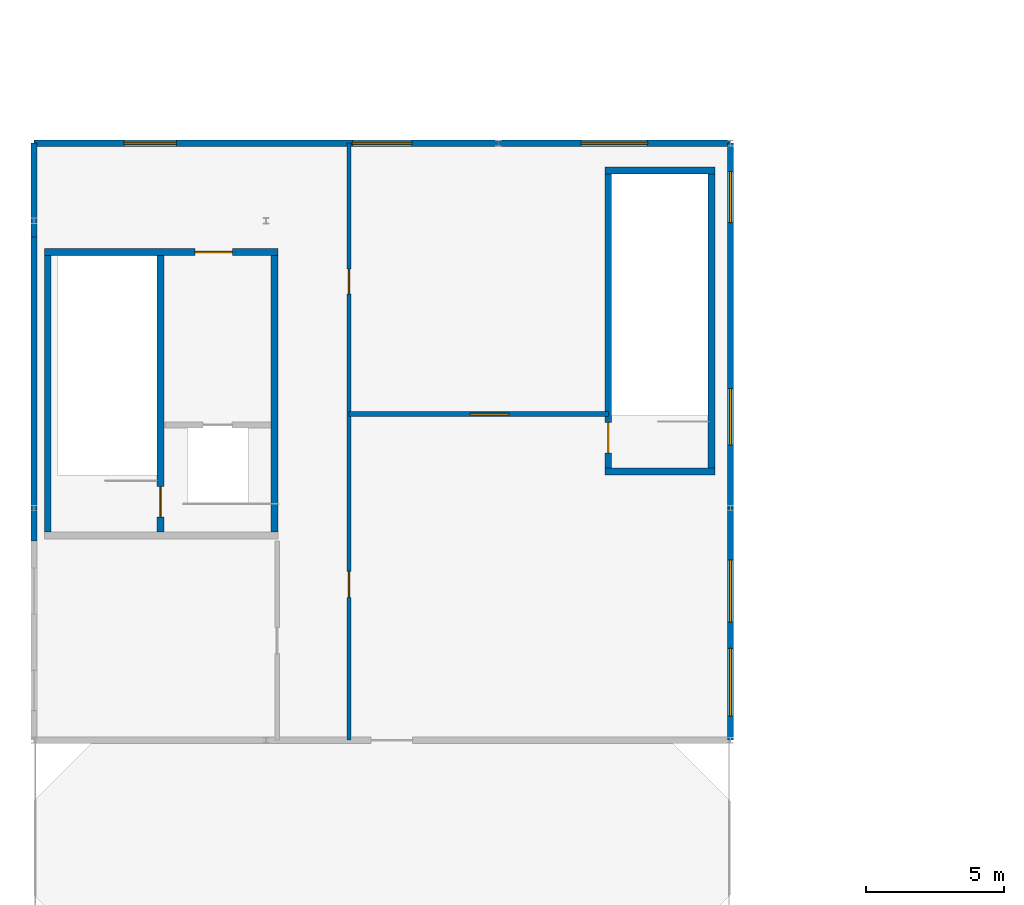
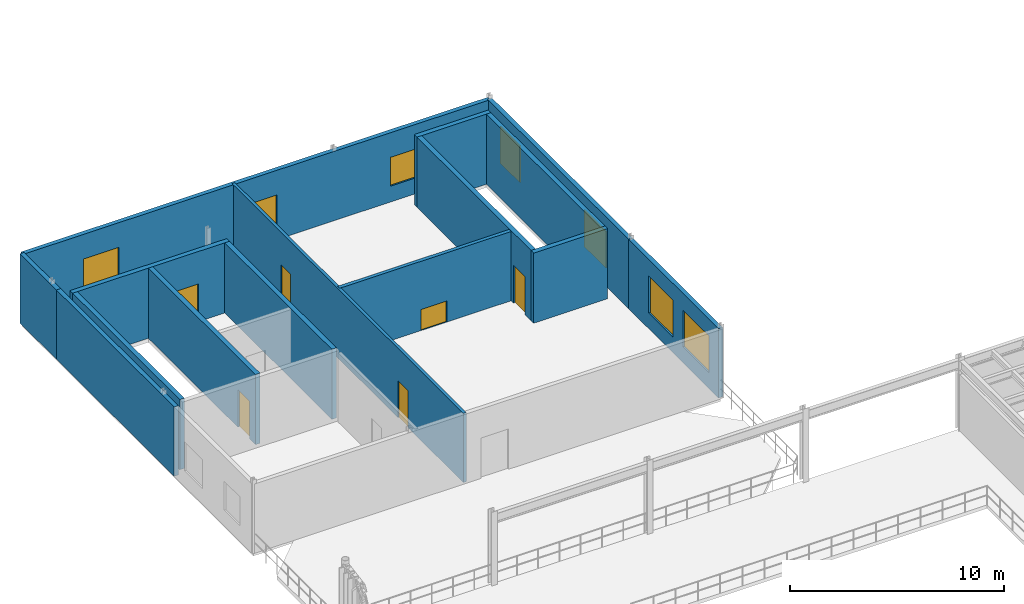
# One storey, part 23 of 32: 15 walls, 7 windows, 6 doors, 13 openings.
"""IFC4 building model written with IfcOpenShell, lengths in metres."""

from ifc_helpers import new_model, si_unit, direction, frame, frame_2d, origin, place, context, subcontext, project, spatial, rectangle, extrude, material, layer, layer_set, type_object, element, fill, save


model = new_model("IFC4")

# Units and contexts
model_context = context("Model", 3, precision=1e-05, world=origin(), true_north=direction((0.0, 1.0)))
body_context = subcontext(model_context, "Body", "Model", "MODEL_VIEW")
ifc_project = project(units=[si_unit("LENGTHUNIT", "METRE"), si_unit("AREAUNIT", "SQUARE_METRE"), si_unit("VOLUMEUNIT", "CUBIC_METRE"), si_unit("PLANEANGLEUNIT", "RADIAN"), si_unit("MASSUNIT", "GRAM", prefix="KILO")], contexts=[model_context])

# Site, building, storey
site_placement = place(None, origin())
site = spatial("IfcSite", under=ifc_project, at=site_placement, CompositionType="ELEMENT")
building_placement = place(site_placement, origin())
building = spatial("IfcBuilding", under=site, at=building_placement, Name="Selat Folded Stagehouse", CompositionType="ELEMENT")
storey_placement = place(building_placement, frame((0.0, 0.0, 19.199951171875)))
storey = spatial("IfcBuildingStorey", under=building, at=storey_placement, Name="L04", CompositionType="ELEMENT", Elevation=19.199951171875)

# Wall, opening, door
ifc_material_1 = material(Name="Acoustic twin-frame drywall partition", Category="gypsum")
ifc_layer_1 = layer(ifc_material_1, 0.18994140625)
ifc_layer_set_1 = layer_set([ifc_layer_1], Name="Acoustic twin-frame drywall partition")
wall_type_1 = type_object("IfcWallType", Name="WAL-ACOU-190", PredefinedType="PARTITIONING", material=ifc_layer_set_1)
wall_1_placement = place(storey_placement, frame((11.39990234375, 74.199951171875, 0.0), z_axis=(0.0, 0.0, 1.0), x_axis=(1.0, 0.0, 0.0)))
wall_1 = element("IfcWall", 1, at=wall_1_placement, inside=storey, type_object=wall_type_1, Name="L04 interior partition wall 120", PredefinedType="PARTITIONING", context=body_context, shape_type="SweptSolid", body=[
    extrude(rectangle(XDim=9.380126953125, YDim=0.18994140625, at=frame_2d((4.68994140625, 0.0))), origin(), (0.0, 0.0, 1.0), 3.9521484375),
])
opening_1_placement = place(wall_1_placement, frame((4.388916015625, 0.0, 0.0)))
opening_1 = element("IfcOpeningElement", 2, at=opening_1_placement, cuts=wall_1, Name="Opening TD-02", PredefinedType="OPENING", context=body_context, shape_type="SweptSolid", body=[
    extrude(rectangle(XDim=1.39990234375, YDim=1.199951171875, at=frame_2d((0.699951171875, 0.60009765625))), frame((0.0, 0.10498046875, 0.0), z_axis=(0.0, -1.0, 0.0), x_axis=(1.0, 0.0, 0.0)), (0.0, 0.0, 1.0), 0.2099609375),
])
ifc_material_2 = material(Name="Galvanised acoustic steel", Category="steel")
door_type_1 = type_object("IfcDoorType", Name="TRP-SMK-1400x1200", OperationType="NOTDEFINED", PredefinedType="TRAPDOOR", material=ifc_material_2)
door_1_placement = place(opening_1_placement, origin())
door_1 = element("IfcDoor", 3, at=door_1_placement, inside=storey, type_object=door_type_1, Name="L04 interior door IWAL-L04-120-1", OperationType="SWING_FIXED_LEFT", OverallHeight=1.199951171875, OverallWidth=1.39990234375, PredefinedType="TRAPDOOR", context=body_context, shape_type="SweptSolid", body=[
    extrude(rectangle(XDim=1.39990234375, YDim=1.199951171875, at=frame_2d((0.699951171875, 0.60009765625))), frame((0.0, 0.02490234375, 0.0), z_axis=(0.0, -1.0, 0.0), x_axis=(1.0, 0.0, 0.0)), (0.0, 0.0, 1.0), 0.050048828125),
])
fill(opening_1, door_1)

# Walls
ifc_material_3 = material(Name="Concrete C50/60", Category="concrete")
ifc_layer_2 = layer(ifc_material_3, 0.25)
ifc_layer_set_2 = layer_set([ifc_layer_2], Name="Concrete C50/60")
wall_type_2 = type_object("IfcWallType", Name="WAL-CORE-250", PredefinedType="SHEAR", material=ifc_layer_set_2)
for number, where, z_axis, x_axis, name in (
    (4, (24.64501953125, 72.1201171875, 0.0), (0.0, 0.0, 1.0), (-1.0, 0.0, 0.0), "L04 ST-07 south shaft wall"),
    (5, (20.655029296875, 83.02001953125, 0.0), (0.0, 0.0, 1.0), (1.0, 0.0, 0.0), "L04 ST-07 north shaft wall"),
):
    element("IfcWall", number, at=place(storey_placement, frame(where, z_axis=z_axis, x_axis=x_axis)), inside=storey, type_object=wall_type_2, Name=name, PredefinedType="SHEAR", context=body_context, shape_type="SweptSolid", body=[
        extrude(rectangle(XDim=3.989990234375, YDim=0.25, at=frame_2d((1.9951171875, 0.0))), origin(), (0.0, 0.0, 1.0), 4.0),
    ])

# Wall, opening, door
wall_2_placement = place(storey_placement, frame((20.780029296875, 72.2451171875, 0.0), z_axis=(0.0, 0.0, 1.0), x_axis=(0.0, 1.0, 0.0)))
wall_2 = element("IfcWall", 6, at=wall_2_placement, inside=storey, type_object=wall_type_2, Name="L04 ST-07 west shaft wall", PredefinedType="SHEAR", context=body_context, shape_type="SweptSolid", body=[
    extrude(rectangle(XDim=10.64990234375, YDim=0.25, at=frame_2d((5.324951171875, 0.0))), origin(), (0.0, 0.0, 1.0), 4.0),
])
opening_2_placement = place(wall_2_placement, frame((0.550048828125, 0.0, 0.0)))
opening_2 = element("IfcOpeningElement", 7, at=opening_2_placement, cuts=wall_2, Name="Opening FD-60", PredefinedType="OPENING", context=body_context, shape_type="SweptSolid", body=[
    extrude(rectangle(XDim=1.10009765625, YDim=2.14990234375, at=frame_2d((0.550048828125, 1.074951171875))), frame((0.0, 0.135009765625, 0.0), z_axis=(0.0, -1.0, 0.0), x_axis=(1.0, 0.0, 0.0)), (0.0, 0.0, 1.0), 0.27001953125),
])
ifc_material_4 = material(Name="Fire-rated timber core door", Category="wood")
door_type_2 = type_object("IfcDoorType", Name="DOR-FIRE-60", OperationType="NOTDEFINED", PredefinedType="DOOR", material=ifc_material_4)
door_2_placement = place(opening_2_placement, origin())
door_2 = element("IfcDoor", 8, at=door_2_placement, inside=storey, type_object=door_type_2, Name="L04 ST-07 stair door", OperationType="SINGLE_SWING_LEFT", OverallHeight=2.14990234375, OverallWidth=1.10009765625, PredefinedType="DOOR", context=body_context, shape_type="SweptSolid", body=[
    extrude(rectangle(XDim=1.10009765625, YDim=2.14990234375, at=frame_2d((0.550048828125, 1.074951171875))), frame((0.0, 0.02490234375, 0.0), z_axis=(0.0, -1.0, 0.0), x_axis=(1.0, 0.0, 0.0)), (0.0, 0.0, 1.0), 0.050048828125),
])
fill(opening_2, door_2)

# Wall
wall_3_placement = place(storey_placement, frame((24.52001953125, 82.89501953125, 0.0), z_axis=(0.0, 0.0, 1.0), x_axis=(0.0, -1.0, 0.0)))
element("IfcWall", 9, at=wall_3_placement, inside=storey, type_object=wall_type_2, Name="L04 ST-07 east shaft wall", PredefinedType="SHEAR", context=body_context, shape_type="SweptSolid", body=[
    extrude(rectangle(XDim=10.64990234375, YDim=0.25, at=frame_2d((5.324951171875, 0.0))), origin(), (0.0, 0.0, 1.0), 4.0),
])

# Wall, opening, door
wall_4_placement = place(storey_placement, frame((0.375, 80.06005859375, 0.0), z_axis=(0.0, 0.0, 1.0), x_axis=(1.0, 0.0, 0.0)))
wall_4 = element("IfcWall", 10, at=wall_4_placement, inside=storey, type_object=wall_type_2, Name="L04 CR-5 north shear wall", PredefinedType="SHEAR", context=body_context, shape_type="SweptSolid", body=[
    extrude(rectangle(XDim=8.449951171875, YDim=0.25, at=frame_2d((4.22509765625, 0.0))), origin(), (0.0, 0.0, 1.0), 4.0),
])
opening_3_placement = place(wall_4_placement, frame((5.449951171875, 0.0, 0.0)))
opening_3 = element("IfcOpeningElement", 11, at=opening_3_placement, cuts=wall_4, Name="Opening FD-60B", PredefinedType="OPENING", context=body_context, shape_type="SweptSolid", body=[
    extrude(rectangle(XDim=1.35009765625, YDim=2.14990234375, at=frame_2d((0.675048828125, 1.074951171875))), frame((0.0, 0.135009765625, 0.0), z_axis=(0.0, -1.0, 0.0), x_axis=(1.0, 0.0, 0.0)), (0.0, 0.0, 1.0), 0.27001953125),
])
ifc_material_5 = material(Name="Protected stair escape door", Category="wood")
door_type_3 = type_object("IfcDoorType", Name="DOR-STR-1350", OperationType="NOTDEFINED", PredefinedType="DOOR", material=ifc_material_5)
door_3_placement = place(opening_3_placement, origin())
door_3 = element("IfcDoor", 12, at=door_3_placement, inside=storey, type_object=door_type_3, Name="L04 CR-5 core lobby fire door", OperationType="SINGLE_SWING_RIGHT", OverallHeight=2.14990234375, OverallWidth=1.35009765625, PredefinedType="DOOR", context=body_context, shape_type="SweptSolid", body=[
    extrude(rectangle(XDim=1.35009765625, YDim=2.14990234375, at=frame_2d((0.675048828125, 1.074951171875))), frame((0.0, 0.02490234375, 0.0), z_axis=(0.0, -1.0, 0.0), x_axis=(1.0, 0.0, 0.0)), (0.0, 0.0, 1.0), 0.050048828125),
])
fill(opening_3, door_3)

# Walls
for number, where, z_axis, x_axis, name in (
    (13, (0.5, 69.925048828125, 0.0), (0.0, 0.0, 1.0), (0.0, 1.0, 0.0), "L04 CR-5 west shear wall"),
    (14, (8.699951171875, 79.93505859375, 0.0), (0.0, 0.0, 1.0), (0.0, -1.0, 0.0), "L04 CR-5 east shear wall"),
):
    element("IfcWall", number, at=place(storey_placement, frame(where, z_axis=z_axis, x_axis=x_axis)), inside=storey, type_object=wall_type_2, Name=name, PredefinedType="SHEAR", context=body_context, shape_type="SweptSolid", body=[
        extrude(rectangle(XDim=10.010009765625, YDim=0.25, at=frame_2d((5.0048828125, 0.0))), origin(), (0.0, 0.0, 1.0), 4.0),
    ])

# Wall, opening, door
wall_5_placement = place(storey_placement, frame((4.580078125, 79.93505859375, 0.0), z_axis=(0.0, 0.0, 1.0), x_axis=(0.0, -1.0, 0.0)))
wall_5 = element("IfcWall", 15, at=wall_5_placement, inside=storey, type_object=wall_type_2, Name="L04 CR-5 internal core divider wall", PredefinedType="SHEAR", context=body_context, shape_type="SweptSolid", body=[
    extrude(rectangle(XDim=10.010009765625, YDim=0.25, at=frame_2d((5.0048828125, 0.0))), origin(), (0.0, 0.0, 1.0), 4.0),
])
opening_4_placement = place(wall_5_placement, frame((8.360107421875, 0.0, 0.0)))
opening_4 = element("IfcOpeningElement", 16, at=opening_4_placement, cuts=wall_5, Name="Opening FD-60", PredefinedType="OPENING", context=body_context, shape_type="SweptSolid", body=[
    extrude(rectangle(XDim=1.10009765625, YDim=2.14990234375, at=frame_2d((0.550048828125, 1.074951171875))), frame((0.0, 0.135009765625, 0.0), z_axis=(0.0, -1.0, 0.0), x_axis=(1.0, 0.0, 0.0)), (0.0, 0.0, 1.0), 0.27001953125),
])
door_4_placement = place(opening_4_placement, origin())
door_4 = element("IfcDoor", 17, at=door_4_placement, inside=storey, type_object=door_type_2, Name="L04 CR-5 protected stair fire door", OperationType="SINGLE_SWING_LEFT", OverallHeight=2.14990234375, OverallWidth=1.10009765625, PredefinedType="DOOR", context=body_context, shape_type="SweptSolid", body=[
    extrude(rectangle(XDim=1.10009765625, YDim=2.14990234375, at=frame_2d((0.550048828125, 1.074951171875))), frame((0.0, 0.02490234375, 0.0), z_axis=(0.0, -1.0, 0.0), x_axis=(1.0, 0.0, 0.0)), (0.0, 0.0, 1.0), 0.050048828125),
])
fill(opening_4, door_4)

# Walls
ifc_material_6 = material(Name="Precast concrete C40/50", Category="concrete")
ifc_layer_3 = layer(ifc_material_6, 0.22998046875)
ifc_layer_set_3 = layer_set([ifc_layer_3], Name="Precast concrete C40/50")
wall_type_3 = type_object("IfcWallType", Name="WAL-EXT-230", PredefinedType="STANDARD", material=ifc_layer_set_3)
wall_6_placement = place(storey_placement, frame((0.0, 69.60009765625, 0.0), z_axis=(0.0, 0.0, 1.0), x_axis=(0.0, 1.0, 0.0)))
element("IfcWall", 18, at=wall_6_placement, inside=storey, type_object=wall_type_3, Name="L04 exterior facade wall EW-L04-V4W-2", PredefinedType="STANDARD", context=body_context, shape_type="SweptSolid", body=[
    extrude(rectangle(XDim=11.0, YDim=0.22998046875, at=frame_2d((5.5, 0.0))), origin(), (0.0, 0.0, 1.0), 3.9521484375),
])
wall_7_placement = place(storey_placement, frame((0.0, 80.60009765625, 0.0), z_axis=(0.0, 0.0, 1.0), x_axis=(0.0, 1.0, 0.0)))
element("IfcWall", 19, at=wall_7_placement, inside=storey, type_object=wall_type_3, Name="L04 exterior facade wall EW-L04-V4W-3", PredefinedType="STANDARD", context=body_context, shape_type="SweptSolid", body=[
    extrude(rectangle(XDim=3.39990234375, YDim=0.22998046875, at=frame_2d((1.699951171875, 0.0))), origin(), (0.0, 0.0, 1.0), 3.9521484375),
])

# Wall, openings, windows
wall_8_placement = place(storey_placement, frame((0.0, 84.0, 0.0), z_axis=(0.0, 0.0, 1.0), x_axis=(1.0, 0.0, 0.0)))
wall_8 = element("IfcWall", 20, at=wall_8_placement, inside=storey, type_object=wall_type_3, Name="L04 exterior facade wall EW-L04-V4N", PredefinedType="STANDARD", context=body_context, shape_type="SweptSolid", body=[
    extrude(rectangle(XDim=25.199951171875, YDim=0.22998046875, at=frame_2d((12.60009765625, 0.0))), origin(), (0.0, 0.0, 1.0), 3.9521484375),
])
opening_5_placement = place(wall_8_placement, frame((3.25, 0.0, 0.89990234375)))
opening_5 = element("IfcOpeningElement", 21, at=opening_5_placement, cuts=wall_8, Name="Opening WN-35", PredefinedType="OPENING", context=body_context, shape_type="SweptSolid", body=[
    extrude(rectangle(XDim=1.89990234375, YDim=1.64990234375, at=frame_2d((0.949951171875, 0.824951171875))), frame((0.0, 0.125, 0.0), z_axis=(0.0, -1.0, 0.0), x_axis=(1.0, 0.0, 0.0)), (0.0, 0.0, 1.0), 0.25),
])
opening_6_placement = place(wall_8_placement, frame((11.52490234375, 0.0, 0.89990234375)))
opening_6 = element("IfcOpeningElement", 22, at=opening_6_placement, cuts=wall_8, Name="Opening WN-34", PredefinedType="OPENING", context=body_context, shape_type="SweptSolid", body=[
    extrude(rectangle(XDim=2.14990234375, YDim=1.64990234375, at=frame_2d((1.074951171875, 0.824951171875))), frame((0.0, 0.125, 0.0), z_axis=(0.0, -1.0, 0.0), x_axis=(1.0, 0.0, 0.0)), (0.0, 0.0, 1.0), 0.25),
])
opening_7_placement = place(wall_8_placement, frame((19.800048828125, 0.0, 0.89990234375)))
opening_7 = element("IfcOpeningElement", 23, at=opening_7_placement, cuts=wall_8, Name="Opening WN-33", PredefinedType="OPENING", context=body_context, shape_type="SweptSolid", body=[
    extrude(rectangle(XDim=2.39990234375, YDim=1.64990234375, at=frame_2d((1.199951171875, 0.824951171875))), frame((0.0, 0.125, 0.0), z_axis=(0.0, -1.0, 0.0), x_axis=(1.0, 0.0, 0.0)), (0.0, 0.0, 1.0), 0.25),
])
ifc_material_7 = material(Name="Thermally broken aluminium and acoustic low-E glass", Category="aluminium")
window_type_1 = type_object("IfcWindowType", Name="WIN-OF-1900x1650", PartitioningType="SINGLE_PANEL", PredefinedType="WINDOW", material=ifc_material_7)
window_1_placement = place(opening_5_placement, origin())
window_1 = element("IfcWindow", 24, at=window_1_placement, inside=storey, type_object=window_type_1, Name="L04 exterior window EW-L04-V4N-1", OverallHeight=1.64990234375, OverallWidth=1.89990234375, PartitioningType="SINGLE_PANEL", PredefinedType="WINDOW", context=body_context, shape_type="SweptSolid", body=[
    extrude(rectangle(XDim=1.89990234375, YDim=1.64990234375, at=frame_2d((0.949951171875, 0.824951171875))), frame((0.0, 0.030029296875, 0.0), z_axis=(0.0, -1.0, 0.0), x_axis=(1.0, 0.0, 0.0)), (0.0, 0.0, 1.0), 0.06005859375),
])
fill(opening_5, window_1)
window_type_2 = type_object("IfcWindowType", Name="WIN-OF-2150x1650", PartitioningType="SINGLE_PANEL", PredefinedType="WINDOW", material=ifc_material_7)
window_2_placement = place(opening_6_placement, origin())
window_2 = element("IfcWindow", 25, at=window_2_placement, inside=storey, type_object=window_type_2, Name="L04 exterior window EW-L04-V4N-2", OverallHeight=1.64990234375, OverallWidth=2.14990234375, PartitioningType="SINGLE_PANEL", PredefinedType="WINDOW", context=body_context, shape_type="SweptSolid", body=[
    extrude(rectangle(XDim=2.14990234375, YDim=1.64990234375, at=frame_2d((1.074951171875, 0.824951171875))), frame((0.0, 0.030029296875, 0.0), z_axis=(0.0, -1.0, 0.0), x_axis=(1.0, 0.0, 0.0)), (0.0, 0.0, 1.0), 0.06005859375),
])
fill(opening_6, window_2)
window_type_3 = type_object("IfcWindowType", Name="WIN-OF-2400x1650", PartitioningType="SINGLE_PANEL", PredefinedType="WINDOW", material=ifc_material_7)
window_3_placement = place(opening_7_placement, origin())
window_3 = element("IfcWindow", 26, at=window_3_placement, inside=storey, type_object=window_type_3, Name="L04 exterior window EW-L04-V4N-3", OverallHeight=1.64990234375, OverallWidth=2.39990234375, PartitioningType="SINGLE_PANEL", PredefinedType="WINDOW", context=body_context, shape_type="SweptSolid", body=[
    extrude(rectangle(XDim=2.39990234375, YDim=1.64990234375, at=frame_2d((1.199951171875, 0.824951171875))), frame((0.0, 0.030029296875, 0.0), z_axis=(0.0, -1.0, 0.0), x_axis=(1.0, 0.0, 0.0)), (0.0, 0.0, 1.0), 0.06005859375),
])
fill(opening_7, window_3)

wall_9_placement = place(storey_placement, frame((25.199951171875, 84.0, 0.0), z_axis=(0.0, 0.0, 1.0), x_axis=(0.0, -1.0, 0.0)))
wall_9 = element("IfcWall", 27, at=wall_9_placement, inside=storey, type_object=wall_type_3, Name="L04 exterior facade wall EW-L04-V4E-1", PredefinedType="STANDARD", context=body_context, shape_type="SweptSolid", body=[
    extrude(rectangle(XDim=13.199951171875, YDim=0.22998046875, at=frame_2d((6.60009765625, 0.0))), origin(), (0.0, 0.0, 1.0), 3.9521484375),
])
opening_8_placement = place(wall_9_placement, frame((1.02490234375, 0.0, 0.89990234375)))
opening_8 = element("IfcOpeningElement", 28, at=opening_8_placement, cuts=wall_9, Name="Opening WN-20", PredefinedType="OPENING", context=body_context, shape_type="SweptSolid", body=[
    extrude(rectangle(XDim=1.85009765625, YDim=2.10009765625, at=frame_2d((0.925048828125, 1.050048828125))), frame((0.0, 0.125, 0.0), z_axis=(0.0, -1.0, 0.0), x_axis=(1.0, 0.0, 0.0)), (0.0, 0.0, 1.0), 0.25),
])
opening_9_placement = place(wall_9_placement, frame((8.875, 0.0, 0.89990234375)))
opening_9 = element("IfcOpeningElement", 29, at=opening_9_placement, cuts=wall_9, Name="Opening WN-19", PredefinedType="OPENING", context=body_context, shape_type="SweptSolid", body=[
    extrude(rectangle(XDim=2.050048828125, YDim=2.10009765625, at=frame_2d((1.02490234375, 1.050048828125))), frame((0.0, 0.125, 0.0), z_axis=(0.0, -1.0, 0.0), x_axis=(1.0, 0.0, 0.0)), (0.0, 0.0, 1.0), 0.25),
])
window_type_4 = type_object("IfcWindowType", Name="WIN-RH-1850x2100", PartitioningType="SINGLE_PANEL", PredefinedType="WINDOW", material=ifc_material_7)
window_4_placement = place(opening_8_placement, origin())
window_4 = element("IfcWindow", 30, at=window_4_placement, inside=storey, type_object=window_type_4, Name="L04 exterior window EW-L04-V4E-1-1", OverallHeight=2.10009765625, OverallWidth=1.85009765625, PartitioningType="SINGLE_PANEL", PredefinedType="WINDOW", context=body_context, shape_type="SweptSolid", body=[
    extrude(rectangle(XDim=1.85009765625, YDim=2.10009765625, at=frame_2d((0.925048828125, 1.050048828125))), frame((0.0, 0.030029296875, 0.0), z_axis=(0.0, -1.0, 0.0), x_axis=(1.0, 0.0, 0.0)), (0.0, 0.0, 1.0), 0.06005859375),
])
fill(opening_8, window_4)
window_type_5 = type_object("IfcWindowType", Name="WIN-RH-2050x2100", PartitioningType="SINGLE_PANEL", PredefinedType="WINDOW", material=ifc_material_7)
window_5_placement = place(opening_9_placement, origin())
window_5 = element("IfcWindow", 31, at=window_5_placement, inside=storey, type_object=window_type_5, Name="L04 exterior window EW-L04-V4E-1-2", OverallHeight=2.10009765625, OverallWidth=2.050048828125, PartitioningType="SINGLE_PANEL", PredefinedType="WINDOW", context=body_context, shape_type="SweptSolid", body=[
    extrude(rectangle(XDim=2.050048828125, YDim=2.10009765625, at=frame_2d((1.02490234375, 1.050048828125))), frame((0.0, 0.030029296875, 0.0), z_axis=(0.0, -1.0, 0.0), x_axis=(1.0, 0.0, 0.0)), (0.0, 0.0, 1.0), 0.06005859375),
])
fill(opening_9, window_5)

wall_10_placement = place(storey_placement, frame((25.199951171875, 70.800048828125, 0.0), z_axis=(0.0, 0.0, 1.0), x_axis=(0.0, -1.0, 0.0)))
wall_10 = element("IfcWall", 32, at=wall_10_placement, inside=storey, type_object=wall_type_3, Name="L04 exterior facade wall EW-L04-V4E-2", PredefinedType="STANDARD", context=body_context, shape_type="SweptSolid", body=[
    extrude(rectangle(XDim=8.400146484375, YDim=0.22998046875, at=frame_2d((4.2001953125, 0.0))), origin(), (0.0, 0.0, 1.0), 3.9521484375),
])
opening_10_placement = place(wall_10_placement, frame((1.875, 0.0, 0.89990234375)))
opening_10 = element("IfcOpeningElement", 33, at=opening_10_placement, cuts=wall_10, Name="Opening WN-18", PredefinedType="OPENING", context=body_context, shape_type="SweptSolid", body=[
    extrude(rectangle(XDim=2.25, YDim=2.10009765625, at=frame_2d((1.125, 1.050048828125))), frame((0.0, 0.125, 0.0), z_axis=(0.0, -1.0, 0.0), x_axis=(1.0, 0.0, 0.0)), (0.0, 0.0, 1.0), 0.25),
])
opening_11_placement = place(wall_10_placement, frame((5.074951171875, 0.0, 0.89990234375)))
opening_11 = element("IfcOpeningElement", 34, at=opening_11_placement, cuts=wall_10, Name="Opening WN-17", PredefinedType="OPENING", context=body_context, shape_type="SweptSolid", body=[
    extrude(rectangle(XDim=2.449951171875, YDim=2.10009765625, at=frame_2d((1.22509765625, 1.050048828125))), frame((0.0, 0.125, 0.0), z_axis=(0.0, -1.0, 0.0), x_axis=(1.0, 0.0, 0.0)), (0.0, 0.0, 1.0), 0.25),
])
window_type_6 = type_object("IfcWindowType", Name="WIN-RH-2250x2100", PartitioningType="SINGLE_PANEL", PredefinedType="WINDOW", material=ifc_material_7)
window_6_placement = place(opening_10_placement, origin())
window_6 = element("IfcWindow", 35, at=window_6_placement, inside=storey, type_object=window_type_6, Name="L04 exterior window EW-L04-V4E-2-1", OverallHeight=2.10009765625, OverallWidth=2.25, PartitioningType="SINGLE_PANEL", PredefinedType="WINDOW", context=body_context, shape_type="SweptSolid", body=[
    extrude(rectangle(XDim=2.25, YDim=2.10009765625, at=frame_2d((1.125, 1.050048828125))), frame((0.0, 0.030029296875, 0.0), z_axis=(0.0, -1.0, 0.0), x_axis=(1.0, 0.0, 0.0)), (0.0, 0.0, 1.0), 0.06005859375),
])
fill(opening_10, window_6)
window_type_7 = type_object("IfcWindowType", Name="WIN-RH-2450x2100", PartitioningType="SINGLE_PANEL", PredefinedType="WINDOW", material=ifc_material_7)
window_7_placement = place(opening_11_placement, origin())
window_7 = element("IfcWindow", 36, at=window_7_placement, inside=storey, type_object=window_type_7, Name="L04 exterior window EW-L04-V4E-2-2", OverallHeight=2.10009765625, OverallWidth=2.449951171875, PartitioningType="SINGLE_PANEL", PredefinedType="WINDOW", context=body_context, shape_type="SweptSolid", body=[
    extrude(rectangle(XDim=2.449951171875, YDim=2.10009765625, at=frame_2d((1.22509765625, 1.050048828125))), frame((0.0, 0.030029296875, 0.0), z_axis=(0.0, -1.0, 0.0), x_axis=(1.0, 0.0, 0.0)), (0.0, 0.0, 1.0), 0.06005859375),
])
fill(opening_11, window_7)

# Wall, openings, doors
ifc_material_8 = material(Name="Moisture-resistant sanitary service wall", Category="gypsum")
ifc_layer_4 = layer(ifc_material_8, 0.159912109375)
ifc_layer_set_4 = layer_set([ifc_layer_4], Name="Moisture-resistant sanitary service wall")
wall_type_4 = type_object("IfcWallType", Name="WAL-PLMB-160", PredefinedType="PLUMBINGWALL", material=ifc_layer_set_4)
wall_11_placement = place(storey_placement, frame((11.39990234375, 62.39990234375, 0.0), z_axis=(0.0, 0.0, 1.0), x_axis=(0.0, 1.0, 0.0)))
wall_11 = element("IfcWall", 37, at=wall_11_placement, inside=storey, type_object=wall_type_4, Name="L04 interior partition wall 119", PredefinedType="PLUMBINGWALL", context=body_context, shape_type="SweptSolid", body=[
    extrude(rectangle(XDim=21.60009765625, YDim=0.159912109375, at=frame_2d((10.800048828125, 0.0))), origin(), (0.0, 0.0, 1.0), 3.9521484375),
])
opening_12_placement = place(wall_11_placement, frame((5.1650390625, 0.0, 0.0)))
opening_12 = element("IfcOpeningElement", 38, at=opening_12_placement, cuts=wall_11, Name="Opening ID-03", PredefinedType="OPENING", context=body_context, shape_type="SweptSolid", body=[
    extrude(rectangle(XDim=0.93994140625, YDim=2.10009765625, at=frame_2d((0.469970703125, 1.050048828125))), frame((0.0, 0.08984375, 0.0), z_axis=(0.0, -1.0, 0.0), x_axis=(1.0, 0.0, 0.0)), (0.0, 0.0, 1.0), 0.179931640625),
])
opening_13_placement = place(wall_11_placement, frame((16.13818359375, 0.0, 0.0)))
opening_13 = element("IfcOpeningElement", 39, at=opening_13_placement, cuts=wall_11, Name="Opening ID-03B", PredefinedType="OPENING", context=body_context, shape_type="SweptSolid", body=[
    extrude(rectangle(XDim=0.909912109375, YDim=2.10009765625, at=frame_2d((0.455078125, 1.050048828125))), frame((0.0, 0.08984375, 0.0), z_axis=(0.0, -1.0, 0.0), x_axis=(1.0, 0.0, 0.0)), (0.0, 0.0, 1.0), 0.179931640625),
])
ifc_material_9 = material(Name="Archive room single door", Category="wood")
door_type_4 = type_object("IfcDoorType", Name="DOR-GEN-0910", OperationType="NOTDEFINED", PredefinedType="DOOR", material=ifc_material_9)
door_5_placement = place(opening_13_placement, origin())
door_5 = element("IfcDoor", 40, at=door_5_placement, inside=storey, type_object=door_type_4, Name="L04 interior door IWAL-L04-119-2", OperationType="SINGLE_SWING_RIGHT", OverallHeight=2.10009765625, OverallWidth=0.909912109375, PredefinedType="DOOR", context=body_context, shape_type="SweptSolid", body=[
    extrude(rectangle(XDim=0.909912109375, YDim=2.10009765625, at=frame_2d((0.455078125, 1.050048828125))), frame((0.0, 0.02490234375, 0.0), z_axis=(0.0, -1.0, 0.0), x_axis=(1.0, 0.0, 0.0)), (0.0, 0.0, 1.0), 0.050048828125),
])
fill(opening_13, door_5)
ifc_material_10 = material(Name="Backstage room single door", Category="wood")
door_type_5 = type_object("IfcDoorType", Name="DOR-GEN-0940", OperationType="NOTDEFINED", PredefinedType="DOOR", material=ifc_material_10)
door_6_placement = place(opening_12_placement, origin())
door_6 = element("IfcDoor", 41, at=door_6_placement, inside=storey, type_object=door_type_5, Name="L04 interior door IWAL-L04-119-1", OperationType="SINGLE_SWING_LEFT", OverallHeight=2.10009765625, OverallWidth=0.93994140625, PredefinedType="DOOR", context=body_context, shape_type="SweptSolid", body=[
    extrude(rectangle(XDim=0.93994140625, YDim=2.10009765625, at=frame_2d((0.469970703125, 1.050048828125))), frame((0.0, 0.02490234375, 0.0), z_axis=(0.0, -1.0, 0.0), x_axis=(1.0, 0.0, 0.0)), (0.0, 0.0, 1.0), 0.050048828125),
])
fill(opening_12, door_6)

save(model, "model.ifc")
